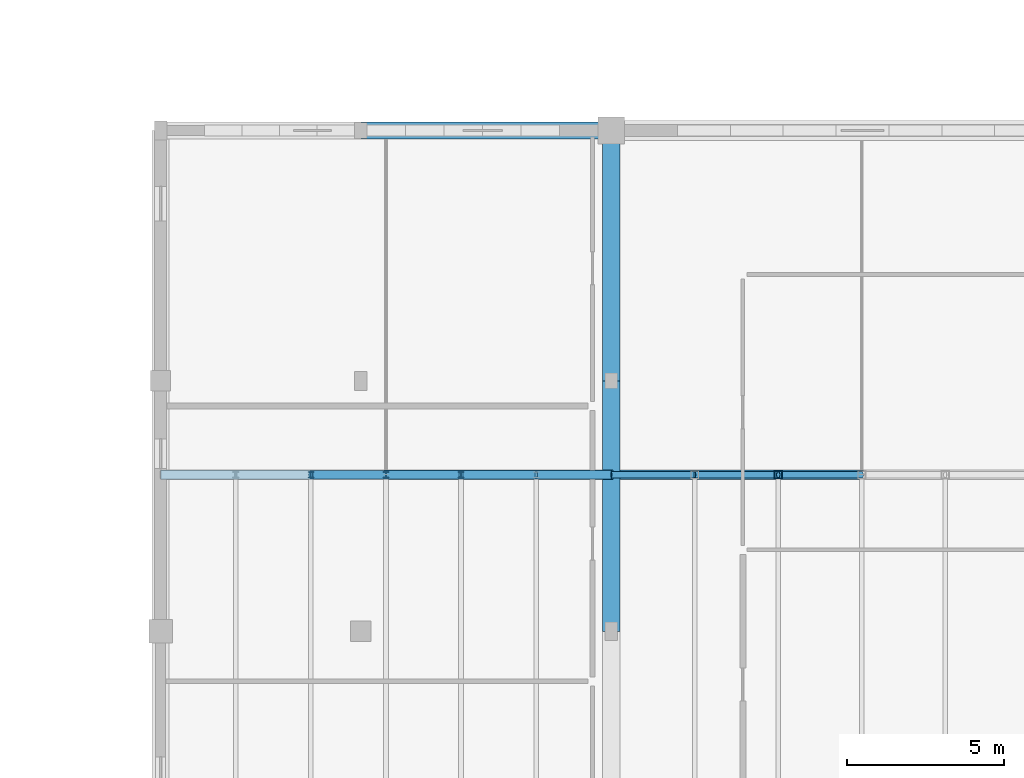
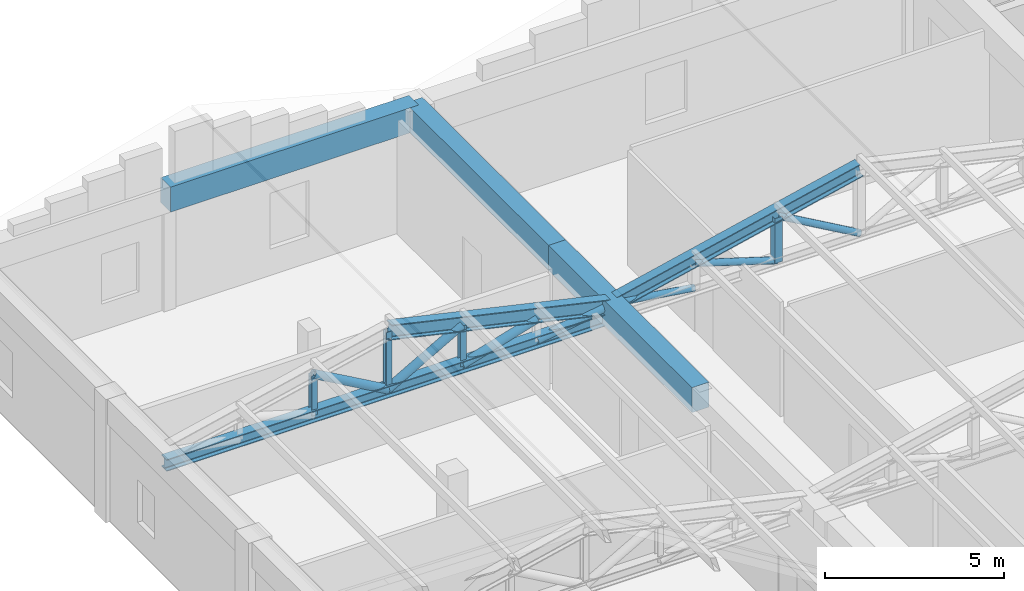
# One storey, part 7 of 35: 14 members, 3 beams.
"""IFC4 building model written with IfcOpenShell, lengths in metres."""

from ifc_helpers import new_model, si_unit, direction, frame, origin, origin_2d, place, context, subcontext, project, spatial, rectangle, hollow_rectangle, hollow_circle, i_section, extrude, material, material_profile, profile_set, type_object, element, save


model = new_model("IFC4")

# Units and contexts
model_context = context("Model", 3, precision=1e-05, world=origin(), true_north=direction((0.0, 1.0)))
body_context = subcontext(model_context, "Body", "Model", "MODEL_VIEW")
ifc_project = project(units=[si_unit("LENGTHUNIT", "METRE"), si_unit("AREAUNIT", "SQUARE_METRE"), si_unit("VOLUMEUNIT", "CUBIC_METRE"), si_unit("PLANEANGLEUNIT", "RADIAN"), si_unit("MASSUNIT", "GRAM", prefix="KILO")], contexts=[model_context])

# Site, building, storey
site_placement = place(None, origin())
site = spatial("IfcSite", under=ifc_project, at=site_placement, CompositionType="ELEMENT")
building_placement = place(site_placement, origin())
building = spatial("IfcBuilding", under=site, at=building_placement, Name="Vellmiral Cinema and Media Centre", CompositionType="ELEMENT")
storey_placement = place(building_placement, frame((0.0, 0.0, 15.60009765625)))
storey = spatial("IfcBuildingStorey", under=building, at=storey_placement, Name="L03", CompositionType="ELEMENT", Elevation=15.60009765625)

# Beams
ifc_material_1 = material(Name="Concrete C40/50", Category="concrete")
ifc_material_profile_1 = material_profile(ifc_material_1, rectangle(XDim=0.550048828125, YDim=0.85009765625, at=origin_2d()), Name="RC 550x850")
ifc_profile_set_1 = profile_set([ifc_material_profile_1], Name="Concrete C40/50")
beam_type = type_object("IfcBeamType", Name="RING-BM-550x850", PredefinedType="BEAM", material=ifc_profile_set_1)
for number, where, z_axis, x_axis, name in (
    (1, (54.39990234375, 95.199951171875, 3.77490234375), (1.0, 0.0, 0.0), (0.0, 1.0, 0.0), "Central Media Library West Barrel Vault Ring Beam 04"),
    (2, (62.39990234375, 79.199951171875, 3.77490234375), (0.0, 1.0, 0.0), (-1.0, 0.0, 0.0), "Central Media Library West Barrel Vault Ring Beam 15"),
    (3, (62.39990234375, 87.199951171875, 3.77490234375), (0.0, 1.0, 0.0), (-1.0, 0.0, 0.0), "Central Media Library West Barrel Vault Ring Beam 16"),
):
    element("IfcBeam", number, at=place(storey_placement, frame(where, z_axis=z_axis, x_axis=x_axis)), inside=storey, type_object=beam_type, Name=name, PredefinedType="BEAM", context=body_context, shape_type="SweptSolid", body=[
        extrude(rectangle(XDim=0.550048828125, YDim=0.85009765625, at=origin_2d()), origin(), (0.0, 0.0, 1.0), 8.0),
    ])

# Members
ifc_material_2 = material(Name="Steel S355", Category="steel")
ifc_material_profile_2 = material_profile(ifc_material_2, hollow_circle(Radius=0.109619140625, WallThickness=0.010009765625, at=origin_2d()), Name="CHS 219.1x10.0")
ifc_profile_set_2 = profile_set([ifc_material_profile_2], Name="Steel S355")
member_type_1 = type_object("IfcMemberType", Name="TBR-CHS219", PredefinedType="BRACE", material=ifc_profile_set_2)
member_1_placement = place(storey_placement, frame((62.39990234375, 84.199951171875, 3.94482421875), z_axis=(0.989206379584, 0.0, -0.146528968431), x_axis=(0.0, 1.0, 0.0)))
element("IfcMember", 4, at=member_1_placement, inside=storey, type_object=member_type_1, Name="Roof Truss TR-08B.3 Diagonal 1", PredefinedType="BRACE", context=body_context, shape_type="SweptSolid", body=[
    extrude(hollow_circle(Radius=0.109619140625, WallThickness=0.010009765625, at=origin_2d()), origin(), (0.0, 0.0, 1.0), 2.69580078125),
])
member_2_placement = place(storey_placement, frame((65.066650390625, 84.199951171875, 4.389404296875), z_axis=(0.953842302692, 0.0, -0.300307944608), x_axis=(0.0, 1.0, 0.0)))
element("IfcMember", 5, at=member_2_placement, inside=storey, type_object=member_type_1, Name="Roof Truss TR-08B.3 Diagonal 2", PredefinedType="BRACE", context=body_context, shape_type="SweptSolid", body=[
    extrude(hollow_circle(Radius=0.109619140625, WallThickness=0.010009765625, at=origin_2d()), origin(), (0.0, 0.0, 1.0), 2.7958984375),
])
member_3_placement = place(storey_placement, frame((67.7333984375, 84.199951171875, 5.0791015625), z_axis=(0.867460050673, 0.0, -0.497506844663), x_axis=(0.0, 1.0, 0.0)))
element("IfcMember", 6, at=member_3_placement, inside=storey, type_object=member_type_1, Name="Roof Truss TR-08B.3 Diagonal 3", PredefinedType="BRACE", context=body_context, shape_type="SweptSolid", body=[
    extrude(hollow_circle(Radius=0.109619140625, WallThickness=0.010009765625, at=origin_2d()), origin(), (0.0, 0.0, 1.0), 3.073974609375),
])
ifc_material_3 = material(Name="Steel S355", Category="steel")
ifc_material_profile_3 = material_profile(ifc_material_3, hollow_circle(Radius=0.136474609375, WallThickness=0.012451171875, at=origin_2d()), Name="CHS 273.0x12.5")
ifc_profile_set_3 = profile_set([ifc_material_profile_3], Name="Steel S355")
member_type_2 = type_object("IfcMemberType", Name="TBR-CHS273", PredefinedType="BRACE", material=ifc_profile_set_3)
member_4_placement = place(storey_placement, frame((52.800048828125, 84.199951171875, 4.9111328125), z_axis=(0.869807030315, 0.0, -0.493392065212), x_axis=(0.0, 1.0, 0.0)))
element("IfcMember", 7, at=member_4_placement, inside=storey, type_object=member_type_2, Name="Roof Truss TR-08.3 Diagonal 3", PredefinedType="BRACE", context=body_context, shape_type="SweptSolid", body=[
    extrude(hollow_circle(Radius=0.136474609375, WallThickness=0.012451171875, at=origin_2d()), origin(), (0.0, 0.0, 1.0), 2.759033203125),
])
member_5_placement = place(storey_placement, frame((55.199951171875, 84.199951171875, 3.5498046875), z_axis=(0.869828568226, 0.0, 0.493354093829), x_axis=(0.0, 1.0, 0.0)))
element("IfcMember", 8, at=member_5_placement, inside=storey, type_object=member_type_2, Name="Roof Truss TR-08.3 Diagonal 4", PredefinedType="BRACE", context=body_context, shape_type="SweptSolid", body=[
    extrude(hollow_circle(Radius=0.136474609375, WallThickness=0.012451171875, at=origin_2d()), origin(), (0.0, 0.0, 1.0), 2.75927734375),
])
member_6_placement = place(storey_placement, frame((57.60009765625, 84.199951171875, 3.5498046875), z_axis=(0.958013844189, 0.0, 0.286721946043), x_axis=(0.0, 1.0, 0.0)))
element("IfcMember", 9, at=member_6_placement, inside=storey, type_object=member_type_2, Name="Roof Truss TR-08.3 Diagonal 5", PredefinedType="BRACE", context=body_context, shape_type="SweptSolid", body=[
    extrude(hollow_circle(Radius=0.136474609375, WallThickness=0.012451171875, at=origin_2d()), origin(), (0.0, 0.0, 1.0), 2.505126953125),
])
member_7_placement = place(storey_placement, frame((60.0, 84.199951171875, 3.5498046875), z_axis=(0.988315839708, 0.0, 0.152419818209), x_axis=(0.0, 1.0, 0.0)))
element("IfcMember", 10, at=member_7_placement, inside=storey, type_object=member_type_2, Name="Roof Truss TR-08.3 Diagonal 6", PredefinedType="BRACE", context=body_context, shape_type="SweptSolid", body=[
    extrude(hollow_circle(Radius=0.136474609375, WallThickness=0.012451171875, at=origin_2d()), origin(), (0.0, 0.0, 1.0), 2.42822265625),
])
ifc_material_4 = material(Name="Steel S355", Category="steel")
ifc_material_profile_4 = material_profile(ifc_material_4, i_section(OverallWidth=0.179931640625, OverallDepth=0.179931640625, WebThickness=0.008544921875, FlangeThickness=0.013916015625, FilletRadius=0.014892578125, at=origin_2d()), Name="HEB 180")
ifc_profile_set_4 = profile_set([ifc_material_profile_4], Name="Steel S355")
member_type_3 = type_object("IfcMemberType", Name="TBR-HEB180", PredefinedType="BRACE", material=ifc_profile_set_4)
member_8_placement = place(storey_placement, frame((52.800048828125, 84.199951171875, 3.5498046875), z_axis=(0.0, 0.0, 1.0), x_axis=(1.0, 0.0, 0.0)))
element("IfcMember", 11, at=member_8_placement, inside=storey, type_object=member_type_3, Name="Roof Truss TR-08.3 Post 2", PredefinedType="BRACE", context=body_context, shape_type="SweptSolid", body=[
    extrude(i_section(OverallWidth=0.179931640625, OverallDepth=0.179931640625, WebThickness=0.008544921875, FlangeThickness=0.013916015625, FilletRadius=0.014892578125, at=origin_2d()), origin(), (0.0, 0.0, 1.0), 1.361328125),
])
member_9_placement = place(storey_placement, frame((55.199951171875, 84.199951171875, 3.5498046875), z_axis=(0.0, 0.0, 1.0), x_axis=(1.0, 0.0, 0.0)))
element("IfcMember", 12, at=member_9_placement, inside=storey, type_object=member_type_3, Name="Roof Truss TR-08.3 Post 3", PredefinedType="BRACE", context=body_context, shape_type="SweptSolid", body=[
    extrude(i_section(OverallWidth=0.179931640625, OverallDepth=0.179931640625, WebThickness=0.008544921875, FlangeThickness=0.013916015625, FilletRadius=0.014892578125, at=origin_2d()), origin(), (0.0, 0.0, 1.0), 2.00439453125),
])
member_10_placement = place(storey_placement, frame((57.60009765625, 84.199951171875, 3.5498046875), z_axis=(0.0, 0.0, 1.0), x_axis=(1.0, 0.0, 0.0)))
element("IfcMember", 13, at=member_10_placement, inside=storey, type_object=member_type_3, Name="Roof Truss TR-08.3 Post 4", PredefinedType="BRACE", context=body_context, shape_type="SweptSolid", body=[
    extrude(i_section(OverallWidth=0.179931640625, OverallDepth=0.179931640625, WebThickness=0.008544921875, FlangeThickness=0.013916015625, FilletRadius=0.014892578125, at=origin_2d()), origin(), (0.0, 0.0, 1.0), 1.361328125),
])
ifc_material_5 = material(Name="Steel S355", Category="steel")
ifc_material_profile_5 = material_profile(ifc_material_5, hollow_rectangle(XDim=0.25, YDim=0.25, WallThickness=0.012451171875, at=origin_2d()), Name="SHS 250x250x12.5")
ifc_profile_set_5 = profile_set([ifc_material_profile_5], Name="Steel S355")
member_type_4 = type_object("IfcMemberType", Name="TBR-SHS250", PredefinedType="BRACE", material=ifc_profile_set_5)
member_11_placement = place(storey_placement, frame((67.7333984375, 84.199951171875, 3.5498046875), z_axis=(0.0, 0.0, 1.0), x_axis=(1.0, 0.0, 0.0)))
element("IfcMember", 14, at=member_11_placement, inside=storey, type_object=member_type_4, Name="Roof Truss TR-08B.3 Post 2", PredefinedType="BRACE", context=body_context, shape_type="SweptSolid", body=[
    extrude(hollow_rectangle(XDim=0.25, YDim=0.25, WallThickness=0.012451171875, at=origin_2d()), origin(), (0.0, 0.0, 1.0), 1.529296875),
])
ifc_material_6 = material(Name="Steel S355", Category="steel")
ifc_material_profile_6 = material_profile(ifc_material_6, i_section(OverallWidth=0.300048828125, OverallDepth=0.39990234375, WebThickness=0.013427734375, FlangeThickness=0.02392578125, FilletRadius=0.027099609375, at=origin_2d()), Name="HEB 400")
ifc_profile_set_6 = profile_set([ifc_material_profile_6], Name="Steel S355")
member_type_5 = type_object("IfcMemberType", Name="TCH-HEB400", PredefinedType="CHORD", material=ifc_profile_set_6)
member_12_placement = place(storey_placement, frame((48.0, 84.199951171875, 3.5498046875), z_axis=(1.0, 0.0, 0.0), x_axis=(0.0, 1.0, 0.0)))
element("IfcMember", 15, at=member_12_placement, inside=storey, type_object=member_type_5, Name="Roof Truss TR-08.3 Bottom Chord", PredefinedType="CHORD", context=body_context, shape_type="SweptSolid", body=[
    extrude(i_section(OverallWidth=0.300048828125, OverallDepth=0.39990234375, WebThickness=0.013427734375, FlangeThickness=0.02392578125, FilletRadius=0.027099609375, at=origin_2d()), origin(), (0.0, 0.0, 1.0), 14.39990234375),
])
ifc_material_7 = material(Name="Steel S355", Category="steel")
ifc_material_profile_7 = material_profile(ifc_material_7, i_section(OverallWidth=0.300048828125, OverallDepth=0.449951171875, WebThickness=0.013916015625, FlangeThickness=0.02587890625, FilletRadius=0.027099609375, at=origin_2d()), Name="HEB 450")
ifc_profile_set_7 = profile_set([ifc_material_profile_7], Name="Steel S355")
member_type_6 = type_object("IfcMemberType", Name="TCH-HEB450", PredefinedType="CHORD", material=ifc_profile_set_7)
member_13_placement = place(storey_placement, frame((62.39990234375, 84.199951171875, 3.94482421875), z_axis=(0.974980054938, 0.0, 0.222292358107), x_axis=(0.0, 1.0, 0.0)))
element("IfcMember", 16, at=member_13_placement, inside=storey, type_object=member_type_6, Name="Roof Truss TR-08B.3 Top Chord W", PredefinedType="CHORD", context=body_context, shape_type="SweptSolid", body=[
    extrude(i_section(OverallWidth=0.300048828125, OverallDepth=0.449951171875, WebThickness=0.013916015625, FlangeThickness=0.02587890625, FilletRadius=0.027099609375, at=origin_2d()), origin(), (0.0, 0.0, 1.0), 8.205322265625),
])
ifc_material_8 = material(Name="Steel S355", Category="steel")
ifc_material_profile_8 = material_profile(ifc_material_8, i_section(OverallWidth=0.300048828125, OverallDepth=0.5, WebThickness=0.014404296875, FlangeThickness=0.028076171875, FilletRadius=0.027099609375, at=origin_2d()), Name="HEB 500")
ifc_profile_set_8 = profile_set([ifc_material_profile_8], Name="Steel S355")
member_type_7 = type_object("IfcMemberType", Name="TCH-HEB500", PredefinedType="CHORD", material=ifc_profile_set_8)
member_14_placement = place(storey_placement, frame((55.199951171875, 84.199951171875, 5.55419921875), z_axis=(0.975193562013, 0.0, -0.221353826731), x_axis=(0.0, 1.0, 0.0)))
element("IfcMember", 17, at=member_14_placement, inside=storey, type_object=member_type_7, Name="Roof Truss TR-08.3 Top Chord E", PredefinedType="CHORD", context=body_context, shape_type="SweptSolid", body=[
    extrude(i_section(OverallWidth=0.300048828125, OverallDepth=0.5, WebThickness=0.014404296875, FlangeThickness=0.028076171875, FilletRadius=0.027099609375, at=origin_2d()), origin(), (0.0, 0.0, 1.0), 7.383056640625),
])

save(model, "model.ifc")
